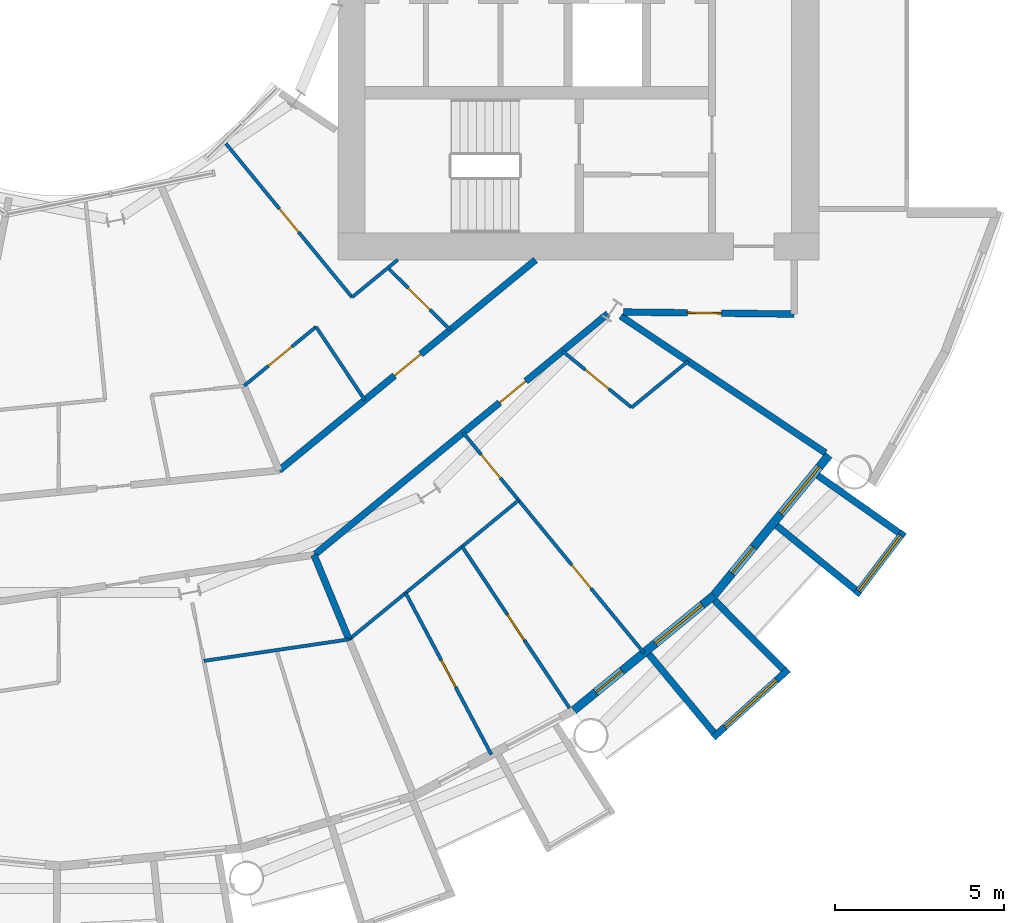
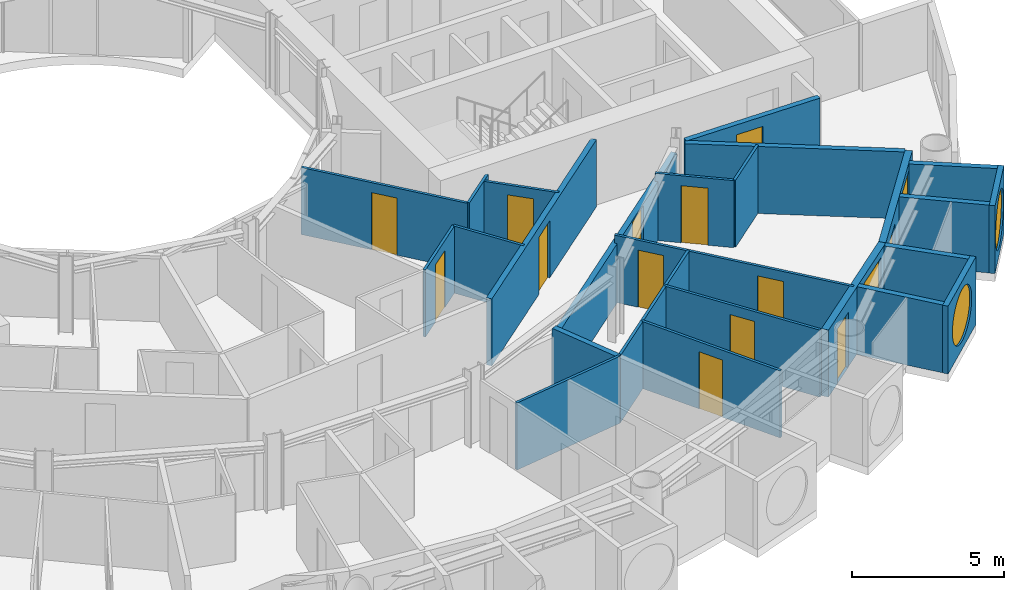
# One storey, part 16 of 26: 25 walls, 13 doors, 4 windows, 17 openings.
"""IFC4 building model written with IfcOpenShell, lengths in metres."""

import ifcopenshell
import ifcopenshell.guid

model = None  # the IFC model being written
_history = None  # IfcOwnerHistory: only IFC2X3 demands one
_inside = {}  # id of a spatial element -> (the spatial element, [elements in it])
_under = {}  # id of a project, library or spatial element -> (it, [spatial elements below it])
_declared = {}  # id of a project -> (the project, [libraries it declares])
_typed = {}  # id of a type object -> (the type object, [elements of that type])
_made_of = {}  # id of a material, layer set ... -> (it, [elements and type objects made of it])


def new_model(schema):
    """Start an empty IFC model of exactly this schema.

    Asked for "IFC4X3", IfcOpenShell would pick the latest addendum, in which some entities
    have other attributes; the version numbers below select the first issue.
    IFC2X3 requires an IfcOwnerHistory on every rooted entity: one is made here for all.
    """
    global model, _history
    if schema == "IFC4X3":
        model = ifcopenshell.file(schema_version=(4, 3, 0, 0))
    else:
        model = ifcopenshell.file(schema=schema)
    _inside.clear()
    _under.clear()
    _declared.clear()
    _typed.clear()
    _made_of.clear()
    _history = None
    if model.schema == "IFC2X3":
        org = make("IfcOrganization", Name="unknown")
        user = make(
            "IfcPersonAndOrganization",
            ThePerson=make("IfcPerson", FamilyName="unknown"),
            TheOrganization=org,
        )
        app = make(
            "IfcApplication",
            ApplicationDeveloper=org,
            Version="unknown",
            ApplicationFullName="unknown",
            ApplicationIdentifier="unknown",
        )
        _history = make(
            "IfcOwnerHistory",
            OwningUser=user,
            OwningApplication=app,
            ChangeAction="ADDED",
            CreationDate=0,
        )
    return model


def make(cls, **values):
    """One entity of the class cls with the attributes given. An attribute that is None is left unset."""
    return model.create_entity(
        cls, **{name: value for name, value in values.items() if value is not None}
    )


def rooted(cls, **values):
    """An entity with a GlobalId (a new one), such as an element, a storey or a relation."""
    return make(cls, GlobalId=ifcopenshell.guid.new(), OwnerHistory=_history, **values)


def si_unit(unit_type, name, prefix=None):
    """IfcSIUnit, for example si_unit("LENGTHUNIT", "METRE", prefix="MILLI")."""
    return make("IfcSIUnit", UnitType=unit_type, Prefix=prefix, Name=name)


def assignment(units):
    """IfcUnitAssignment: the units of a project."""
    return None if units is None else make("IfcUnitAssignment", Units=units)


def point(xyz):
    """IfcCartesianPoint."""
    return None if xyz is None else make("IfcCartesianPoint", Coordinates=xyz)


def direction(xyz):
    """IfcDirection."""
    return None if xyz is None else make("IfcDirection", DirectionRatios=xyz)


def frame(location, z_axis=None, x_axis=None):
    """IfcAxis2Placement3D, a coordinate frame: its origin and axes. An axis left out is left unset."""
    return make(
        "IfcAxis2Placement3D",
        Location=point(location),
        Axis=direction(z_axis),
        RefDirection=direction(x_axis),
    )


def frame_2d(location, x_axis=None):
    """IfcAxis2Placement2D, a coordinate frame in the plane: its origin and x axis."""
    return make(
        "IfcAxis2Placement2D", Location=point(location), RefDirection=direction(x_axis)
    )


def origin():
    """The frame at (0, 0, 0) with its axes left unset."""
    return frame((0.0, 0.0, 0.0))


def place(relative_to, where):
    """IfcLocalPlacement: puts the frame where relative to a parent placement (None: the world)."""
    return make(
        "IfcLocalPlacement", PlacementRelTo=relative_to, RelativePlacement=where
    )


def context(
    kind, dimensions, precision=None, world=None, true_north=None, identifier=None
):
    """IfcGeometricRepresentationContext, for example the 3D "Model" context."""
    return make(
        "IfcGeometricRepresentationContext",
        ContextIdentifier=identifier,
        ContextType=kind,
        CoordinateSpaceDimension=dimensions,
        Precision=precision,
        WorldCoordinateSystem=world,
        TrueNorth=true_north,
    )


def subcontext(parent, identifier, kind, view, scale=None):
    """IfcGeometricRepresentationSubContext, for example "Body" below "Model"."""
    return make(
        "IfcGeometricRepresentationSubContext",
        ContextIdentifier=identifier,
        ContextType=kind,
        ParentContext=parent,
        TargetScale=scale,
        TargetView=view,
    )


def project(units=None, contexts=None):
    """IfcProject with its units and contexts."""
    return rooted(
        "IfcProject",
        Name="project",
        RepresentationContexts=contexts,
        UnitsInContext=assignment(units),
    )


def spatial(cls, under=None, at=None, **own):
    """A site, building, storey or space (cls), placed at a placement, below another one or the project."""
    s = rooted(cls, ObjectPlacement=at, **own)
    if under is not None:
        _under.setdefault(under.id(), (under, []))[1].append(s)
    return s


def profile(cls, at=None, kind="AREA", **sizes):
    """A parametric profile (cls). Its sizes go by their IFC names, for example OverallWidth=200.0."""
    return make(cls, ProfileType=kind, Position=at, **sizes)


def rectangle(**sizes):
    """IfcRectangleProfileDef."""
    return profile("IfcRectangleProfileDef", **sizes)


def circle(**sizes):
    """IfcCircleProfileDef."""
    return profile("IfcCircleProfileDef", **sizes)


def extrude(swept, where, along, depth):
    """IfcExtrudedAreaSolid: the profile swept, set in the frame where, extruded along a direction by depth."""
    return make(
        "IfcExtrudedAreaSolid",
        SweptArea=swept,
        Position=where,
        ExtrudedDirection=direction(along),
        Depth=depth,
    )


def shape(context_of_items, identifier, shape_type, items):
    """IfcShapeRepresentation: the items that make up one representation, for example the "Body"."""
    return make(
        "IfcShapeRepresentation",
        ContextOfItems=context_of_items,
        RepresentationIdentifier=identifier,
        RepresentationType=shape_type,
        Items=items,
    )


def material(Name=None, Category=None):
    """IfcMaterial."""
    return make("IfcMaterial", Name=Name, Category=Category)


def layer(
    of_material, thickness, ventilated=None, Name=None, Category=None, Priority=None
):
    """IfcMaterialLayer: one layer of a wall or slab, of a material (None: an air gap)."""
    return make(
        "IfcMaterialLayer",
        Material=of_material,
        LayerThickness=thickness,
        IsVentilated=ventilated,
        Name=Name,
        Category=Category,
        Priority=Priority,
    )


def layer_set(layers, Name=None):
    """IfcMaterialLayerSet."""
    return make("IfcMaterialLayerSet", MaterialLayers=layers, LayerSetName=Name)


def made_of(thing, what):
    """Note that an element or type object is made of a material, layer set ...; save() writes the relation."""
    if what is not None:
        _made_of.setdefault(what.id(), (what, []))[1].append(thing)
    return thing


def type_object(cls, material=None, **own):
    """A type object (cls), such as IfcWallType, which elements share."""
    return made_of(rooted(cls, **own), material)


def element(
    cls,
    number,
    at=None,
    inside=None,
    cuts=None,
    type_object=None,
    material=None,
    context=None,
    identifier="Body",
    shape_type=None,
    held_by="IfcProductDefinitionShape",
    body=None,
    shapes=None,
    **own,
):
    """One element of the class cls, such as IfcWall. Its Tag is "e" and its number.

    at: its placement. inside: the storey or other place that contains it. cuts: it is an
    opening in that element (IfcRelVoidsElement). A single representation is given by context,
    identifier, shape_type and body (its items); several are given by shapes. held_by: the class
    of the entity that holds the representations. save() writes the other relations.
    """
    e = rooted(cls, Tag="e%d" % number, ObjectPlacement=at, **own)
    if body is not None:
        shapes = [shape(context, identifier, shape_type, body)]
    if shapes is not None:
        e.Representation = make(held_by, Representations=shapes)
    if inside is not None:
        _inside.setdefault(inside.id(), (inside, []))[1].append(e)
    if cuts is not None:
        rooted(
            "IfcRelVoidsElement", RelatingBuildingElement=cuts, RelatedOpeningElement=e
        )
    if type_object is not None:
        _typed.setdefault(type_object.id(), (type_object, []))[1].append(e)
    return made_of(e, material)


def fill(opening, filler):
    """IfcRelFillsElement: the door or window that sits in an opening."""
    return rooted(
        "IfcRelFillsElement",
        RelatingOpeningElement=opening,
        RelatedBuildingElement=filler,
    )


def aggregate(whole, parts):
    """IfcRelAggregates: a whole, such as a stair, and the parts it consists of."""
    return rooted("IfcRelAggregates", RelatingObject=whole, RelatedObjects=parts)


def save(model, path):
    """Write the relations noted so far, then the file.

    IfcRelAggregates (storeys below a building ...), IfcRelContainedInSpatialStructure (elements
    in a storey), IfcRelDefinesByType, IfcRelAssociatesMaterial and IfcRelDeclares: one each for
    every whole, place, type object, material and project.
    """
    for whole, parts in _under.values():
        aggregate(whole, parts)
    for where, things in _inside.values():
        rooted(
            "IfcRelContainedInSpatialStructure",
            RelatedElements=things,
            RelatingStructure=where,
        )
    for kind, things in _typed.values():
        rooted("IfcRelDefinesByType", RelatedObjects=things, RelatingType=kind)
    for what, things in _made_of.values():
        rooted("IfcRelAssociatesMaterial", RelatedObjects=things, RelatingMaterial=what)
    for by, libraries in _declared.values():
        rooted("IfcRelDeclares", RelatingContext=by, RelatedDefinitions=libraries)
    model.write(path)


model = new_model("IFC4")

# Units and contexts
model_context = context("Model", 3, precision=1e-05, world=origin(), true_north=direction((0.0, 1.0)))
body_context = subcontext(model_context, "Body", "Model", "MODEL_VIEW")
ifc_project = project(units=[si_unit("LENGTHUNIT", "METRE"), si_unit("AREAUNIT", "SQUARE_METRE"), si_unit("VOLUMEUNIT", "CUBIC_METRE"), si_unit("PLANEANGLEUNIT", "RADIAN"), si_unit("MASSUNIT", "GRAM", prefix="KILO")], contexts=[model_context])

# Site, building, storey
site_placement = place(None, origin())
site = spatial("IfcSite", under=ifc_project, at=site_placement, CompositionType="ELEMENT")
building_placement = place(site_placement, origin())
building = spatial("IfcBuilding", under=site, at=building_placement, Name="Maasbend Ring Residences", CompositionType="ELEMENT")
storey_placement = place(building_placement, frame((0.0, 0.0, 35.0)))
storey = spatial("IfcBuildingStorey", under=building, at=storey_placement, Name="L09", CompositionType="ELEMENT", Elevation=35.0)

# Wall, opening, door
ifc_material_1 = material(Name="Concrete C30/37", Category="concrete")
ifc_layer_1 = layer(ifc_material_1, 0.199951171875)
ifc_layer_set_1 = layer_set([ifc_layer_1], Name="Concrete C30/37")
wall_type_1 = type_object("IfcWallType", Name="CORRIDOR WALL 200 CONCRETE", PredefinedType="PARTITIONING", material=ifc_layer_set_1)
wall_1_placement = place(storey_placement, frame((7.511962890625, -18.10498046875, 0.0), z_axis=(0.0, 0.0, 1.0), x_axis=(0.772704887747, 0.634765434198, 0.0)))
wall_1 = element("IfcWall", 1, at=wall_1_placement, inside=storey, type_object=wall_type_1, Name="U-L09-w015", PredefinedType="PARTITIONING", context=body_context, shape_type="SweptSolid", body=[
    extrude(rectangle(XDim=11.208740234375, YDim=0.199951171875, at=frame_2d((5.6044921875, 0.0))), origin(), (0.0, 0.0, 1.0), 2.3798828125),
])
opening_1_placement = place(wall_1_placement, frame((7.072021484375, 0.0, 0.0)))
opening_1 = element("IfcOpeningElement", 2, at=opening_1_placement, cuts=wall_1, Name="Opening D-0947", PredefinedType="OPENING", context=body_context, shape_type="SweptSolid", body=[
    extrude(rectangle(XDim=1.0, YDim=2.300048828125, at=frame_2d((0.5, 1.14990234375))), frame((0.0, 0.10986328125, 0.0), z_axis=(0.0, -1.0, 0.0), x_axis=(1.0, 0.0, 0.0)), (0.0, 0.0, 1.0), 0.219970703125),
])
ifc_material_2 = material(Name="Timber, fire-rated, painted", Category="wood")
door_type_1 = type_object("IfcDoorType", Name="FLAT ENTRANCE DOOR 1000 X 2300 FIRE-RATED", OperationType="NOTDEFINED", PredefinedType="DOOR", material=ifc_material_2)
door_1_placement = place(opening_1_placement, origin())
door_1 = element("IfcDoor", 3, at=door_1_placement, inside=storey, type_object=door_type_1, Name="D-0947", OperationType="SINGLE_SWING_RIGHT", OverallHeight=2.300048828125, OverallWidth=1.0, PredefinedType="DOOR", context=body_context, shape_type="SweptSolid", body=[
    extrude(rectangle(XDim=1.0, YDim=2.300048828125, at=frame_2d((0.5, 1.14990234375))), frame((0.0, 0.02490234375, 0.0), z_axis=(0.0, -1.0, 0.0), x_axis=(1.0, 0.0, 0.0)), (0.0, 0.0, 1.0), 0.050048828125),
])
fill(opening_1, door_1)

wall_2_placement = place(storey_placement, frame((6.467041015625, -15.614013671875, 0.0), z_axis=(0.0, 0.0, 1.0), x_axis=(0.773084654695, 0.634302858794, 0.0)))
wall_2 = element("IfcWall", 4, at=wall_2_placement, inside=storey, type_object=wall_type_1, Name="U-L09-w017", PredefinedType="PARTITIONING", context=body_context, shape_type="SweptSolid", body=[
    extrude(rectangle(XDim=9.793212890625, YDim=0.199951171875, at=frame_2d((4.896484375, 0.0))), origin(), (0.0, 0.0, 1.0), 2.699951171875),
])
opening_2_placement = place(wall_2_placement, frame((4.406982421875, 0.0, 0.0)))
opening_2 = element("IfcOpeningElement", 5, at=opening_2_placement, cuts=wall_2, Name="Opening D-0961", PredefinedType="OPENING", context=body_context, shape_type="SweptSolid", body=[
    extrude(rectangle(XDim=1.0, YDim=2.300048828125, at=frame_2d((0.5, 1.14990234375))), frame((0.0, 0.10986328125, 0.0), z_axis=(0.0, -1.0, 0.0), x_axis=(1.0, 0.0, 0.0)), (0.0, 0.0, 1.0), 0.219970703125),
])
door_2_placement = place(opening_2_placement, origin())
door_2 = element("IfcDoor", 6, at=door_2_placement, inside=storey, type_object=door_type_1, Name="D-0961", OperationType="SINGLE_SWING_RIGHT", OverallHeight=2.300048828125, OverallWidth=1.0, PredefinedType="DOOR", context=body_context, shape_type="SweptSolid", body=[
    extrude(rectangle(XDim=1.0, YDim=2.300048828125, at=frame_2d((0.5, 1.14990234375))), frame((0.0, 0.02490234375, 0.0), z_axis=(0.0, -1.0, 0.0), x_axis=(1.0, 0.0, 0.0)), (0.0, 0.0, 1.0), 0.050048828125),
])
fill(opening_2, door_2)

wall_3_placement = place(storey_placement, frame((16.635986328125, -10.93994140625, 0.0), z_axis=(0.0, 0.0, 1.0), x_axis=(0.999928980998, -0.011917758204, 0.0)))
wall_3 = element("IfcWall", 7, at=wall_3_placement, inside=storey, type_object=wall_type_1, Name="U-L09-w026", PredefinedType="PARTITIONING", context=body_context, shape_type="SweptSolid", body=[
    extrude(rectangle(XDim=5.039306640625, YDim=0.199951171875, at=frame_2d((2.51953125, 0.0))), origin(), (0.0, 0.0, 1.0), 2.699951171875),
])
opening_3_placement = place(wall_3_placement, frame((1.885986328125, 0.0, 0.0)))
opening_3 = element("IfcOpeningElement", 8, at=opening_3_placement, cuts=wall_3, Name="Opening D-0967", PredefinedType="OPENING", context=body_context, shape_type="SweptSolid", body=[
    extrude(rectangle(XDim=1.0, YDim=2.300048828125, at=frame_2d((0.5, 1.14990234375))), frame((0.0, 0.10986328125, 0.0), z_axis=(0.0, -1.0, 0.0), x_axis=(1.0, 0.0, 0.0)), (0.0, 0.0, 1.0), 0.219970703125),
])
ifc_material_3 = material(Name="Timber, painted", Category="wood")
door_type_2 = type_object("IfcDoorType", Name="ROOM DOOR 1000 X 2300", OperationType="NOTDEFINED", PredefinedType="DOOR", material=ifc_material_3)
door_3_placement = place(opening_3_placement, origin())
door_3 = element("IfcDoor", 9, at=door_3_placement, inside=storey, type_object=door_type_2, Name="D-0967", OperationType="SINGLE_SWING_LEFT", OverallHeight=2.300048828125, OverallWidth=1.0, PredefinedType="DOOR", context=body_context, shape_type="SweptSolid", body=[
    extrude(rectangle(XDim=1.0, YDim=2.300048828125, at=frame_2d((0.5, 1.14990234375))), frame((0.0, 0.02490234375, 0.0), z_axis=(0.0, -1.0, 0.0), x_axis=(1.0, 0.0, 0.0)), (0.0, 0.0, 1.0), 0.050048828125),
])
fill(opening_3, door_3)

# Wall, opening, window
ifc_material_4 = material(Name="Pale anodised aluminium panel", Category="aluminium")
ifc_layer_2 = layer(ifc_material_4, 0.199951171875)
ifc_layer_set_2 = layer_set([ifc_layer_2], Name="EW-BOX")
wall_type_2 = type_object("IfcWallType", Name="EW-BOX", PredefinedType="SOLIDWALL", material=ifc_layer_set_2)
wall_4_placement = place(storey_placement, frame((19.281982421875, -23.5029296875, -0.030029296875), z_axis=(0.0, 0.0, 1.0), x_axis=(0.740998365753, 0.671506829416, 0.0)))
wall_4 = element("IfcWall", 10, at=wall_4_placement, inside=storey, type_object=wall_type_2, Name="Box front S18", PredefinedType="SOLIDWALL", context=body_context, shape_type="SweptSolid", body=[
    extrude(rectangle(XDim=2.9931640625, YDim=0.199951171875, at=frame_2d((1.49658203125, 0.0))), origin(), (0.0, 0.0, 1.0), 2.72998046875),
])
opening_4_placement = place(wall_4_placement, frame((0.45654296875, 0.0, 0.330078125)))
opening_4 = element("IfcOpeningElement", 11, at=opening_4_placement, cuts=wall_4, Name="Opening W-RD", PredefinedType="OPENING", context=body_context, shape_type="SweptSolid", body=[
    extrude(circle(Radius=1.0400390625, at=frame_2d((1.0400390625, 1.0400390625))), frame((0.0, 0.10986328125, 0.0), z_axis=(0.0, -1.0, 0.0), x_axis=(1.0, 0.0, 0.0)), (0.0, 0.0, 1.0), 0.219970703125),
])
ifc_material_5 = material(Name="Aluminium and clear glass", Category="aluminium")
window_type_1 = type_object("IfcWindowType", Name="W-RD", PartitioningType="SINGLE_PANEL", PredefinedType="WINDOW", material=ifc_material_5)
window_1_placement = place(opening_4_placement, origin())
window_1 = element("IfcWindow", 12, at=window_1_placement, inside=storey, type_object=window_type_1, Name="Round window S18", OverallHeight=2.080078125, OverallWidth=2.080078125, PartitioningType="SINGLE_PANEL", PredefinedType="WINDOW", context=body_context, shape_type="SweptSolid", body=[
    extrude(circle(Radius=1.0400390625, at=frame_2d((1.0400390625, 1.0400390625))), frame((0.0, 0.030029296875, 0.0), z_axis=(0.0, -1.0, 0.0), x_axis=(1.0, 0.0, 0.0)), (0.0, 0.0, 1.0), 0.06005859375),
])
fill(opening_4, window_1)

# Walls
wall_5_placement = place(storey_placement, frame((17.384033203125, -21.041015625, -0.030029296875), z_axis=(0.0, 0.0, 1.0), x_axis=(0.63709551667, -0.770784861449, 0.0)))
element("IfcWall", 13, at=wall_5_placement, inside=storey, type_object=wall_type_2, Name="Box side wall S18 left", PredefinedType="SOLIDWALL", context=body_context, shape_type="SweptSolid", body=[
    extrude(rectangle(XDim=3.005859375, YDim=0.199951171875, at=frame_2d((1.5029296875, 0.0))), origin(), (0.0, 0.0, 1.0), 2.72998046875),
])
wall_6_placement = place(storey_placement, frame((19.322998046875, -19.449951171875, -0.030029296875), z_axis=(0.0, 0.0, 1.0), x_axis=(0.704476739375, -0.709727076896, 0.0)))
element("IfcWall", 14, at=wall_6_placement, inside=storey, type_object=wall_type_2, Name="Box side wall S18 right", PredefinedType="SOLIDWALL", context=body_context, shape_type="SweptSolid", body=[
    extrude(rectangle(XDim=2.883056640625, YDim=0.199951171875, at=frame_2d((1.44140625, 0.0))), origin(), (0.0, 0.0, 1.0), 2.72998046875),
])

# Wall, opening, window
wall_7_placement = place(storey_placement, frame((23.4970703125, -19.2890625, -0.030029296875), z_axis=(0.0, 0.0, 1.0), x_axis=(0.60418752353, 0.796842165306, 0.0)))
wall_7 = element("IfcWall", 15, at=wall_7_placement, inside=storey, type_object=wall_type_2, Name="Box front S20", PredefinedType="SOLIDWALL", context=body_context, shape_type="SweptSolid", body=[
    extrude(rectangle(XDim=2.3369140625, YDim=0.199951171875, at=frame_2d((1.16845703125, 0.0))), origin(), (0.0, 0.0, 1.0), 2.72998046875),
])
opening_5_placement = place(wall_7_placement, frame((0.128173828125, 0.0, 0.330078125)))
opening_5 = element("IfcOpeningElement", 16, at=opening_5_placement, cuts=wall_7, Name="Opening W-RD", PredefinedType="OPENING", context=body_context, shape_type="SweptSolid", body=[
    extrude(circle(Radius=1.0400390625, at=frame_2d((1.0400390625, 1.0400390625))), frame((0.0, 0.10986328125, 0.0), z_axis=(0.0, -1.0, 0.0), x_axis=(1.0, 0.0, 0.0)), (0.0, 0.0, 1.0), 0.219970703125),
])
window_2_placement = place(opening_5_placement, origin())
window_2 = element("IfcWindow", 17, at=window_2_placement, inside=storey, type_object=window_type_1, Name="Round window S20", OverallHeight=2.080078125, OverallWidth=2.080078125, PartitioningType="SINGLE_PANEL", PredefinedType="WINDOW", context=body_context, shape_type="SweptSolid", body=[
    extrude(circle(Radius=1.0400390625, at=frame_2d((1.0400390625, 1.0400390625))), frame((0.0, 0.030029296875, 0.0), z_axis=(0.0, -1.0, 0.0), x_axis=(1.0, 0.0, 0.0)), (0.0, 0.0, 1.0), 0.06005859375),
])
fill(opening_5, window_2)

# Walls
wall_8_placement = place(storey_placement, frame((21.155029296875, -17.24609375, -0.030029296875), z_axis=(0.0, 0.0, 1.0), x_axis=(0.775179004516, -0.631741648902, 0.0)))
element("IfcWall", 18, at=wall_8_placement, inside=storey, type_object=wall_type_2, Name="Box side wall S20 left", PredefinedType="SOLIDWALL", context=body_context, shape_type="SweptSolid", body=[
    extrude(rectangle(XDim=3.005859375, YDim=0.199951171875, at=frame_2d((1.5029296875, 0.0))), origin(), (0.0, 0.0, 1.0), 2.72998046875),
])
wall_9_placement = place(storey_placement, frame((22.3701171875, -15.764892578125, -0.030029296875), z_axis=(0.0, 0.0, 1.0), x_axis=(0.817256123454, -0.576274612209, 0.0)))
element("IfcWall", 19, at=wall_9_placement, inside=storey, type_object=wall_type_2, Name="Box side wall S20 right", PredefinedType="SOLIDWALL", context=body_context, shape_type="SweptSolid", body=[
    extrude(rectangle(XDim=2.932861328125, YDim=0.199951171875, at=frame_2d((1.46630859375, 0.0))), origin(), (0.0, 0.0, 1.0), 2.72998046875),
])

# Wall, openings, door, window
ifc_material_6 = material(Name="Aluminium clad insulated panel", Category="aluminium")
ifc_layer_3 = layer(ifc_material_6, 0.25)
ifc_layer_set_3 = layer_set([ifc_layer_3], Name="EW-GL")
wall_type_3 = type_object("IfcWallType", Name="EW-GL", PredefinedType="SOLIDWALL", material=ifc_layer_set_3)
wall_10_placement = place(storey_placement, frame((15.1669921875, -22.698974609375, 0.0), z_axis=(0.0, 0.0, 1.0), x_axis=(0.773019449054, 0.634382322723, 0.0)))
wall_10 = element("IfcWall", 20, at=wall_10_placement, inside=storey, type_object=wall_type_3, Name="External wall S09", PredefinedType="SOLIDWALL", context=body_context, shape_type="SweptSolid", body=[
    extrude(rectangle(XDim=5.351806640625, YDim=0.25, at=frame_2d((2.67578125, 0.0))), origin(), (0.0, 0.0, 1.0), 2.699951171875),
])
opening_6_placement = place(wall_10_placement, frame((0.841064453125, 0.0, 0.0)))
opening_6 = element("IfcOpeningElement", 21, at=opening_6_placement, cuts=wall_10, Name="Opening D-LG", PredefinedType="OPENING", context=body_context, shape_type="SweptSolid", body=[
    extrude(rectangle(XDim=1.0, YDim=2.199951171875, at=frame_2d((0.5, 1.10009765625))), frame((0.0, 0.135009765625, 0.0), z_axis=(0.0, -1.0, 0.0), x_axis=(1.0, 0.0, 0.0)), (0.0, 0.0, 1.0), 0.27001953125),
])
opening_7_placement = place(wall_10_placement, frame((3.110595703125, 0.0, 0.300048828125)))
opening_7 = element("IfcOpeningElement", 22, at=opening_7_placement, cuts=wall_10, Name="Opening W-BX", PredefinedType="OPENING", context=body_context, shape_type="SweptSolid", body=[
    extrude(rectangle(XDim=1.800048828125, YDim=2.10009765625, at=frame_2d((0.89990234375, 1.050048828125))), frame((0.0, 0.135009765625, 0.0), z_axis=(0.0, -1.0, 0.0), x_axis=(1.0, 0.0, 0.0)), (0.0, 0.0, 1.0), 0.27001953125),
])
ifc_material_7 = material(Name="Aluminium and clear glass", Category="aluminium")
door_type_3 = type_object("IfcDoorType", Name="D-LG", OperationType="SINGLE_SWING_LEFT", PredefinedType="DOOR", material=ifc_material_7)
door_4_placement = place(opening_6_placement, origin())
door_4 = element("IfcDoor", 23, at=door_4_placement, inside=storey, type_object=door_type_3, Name="Loggia door S17", OperationType="SINGLE_SWING_LEFT", OverallHeight=2.199951171875, OverallWidth=1.0, PredefinedType="DOOR", context=body_context, shape_type="SweptSolid", body=[
    extrude(rectangle(XDim=1.0, YDim=2.199951171875, at=frame_2d((0.5, 1.10009765625))), frame((0.0, 0.02490234375, 0.0), z_axis=(0.0, -1.0, 0.0), x_axis=(1.0, 0.0, 0.0)), (0.0, 0.0, 1.0), 0.050048828125),
])
fill(opening_6, door_4)
ifc_material_8 = material(Name="Aluminium and clear glass", Category="aluminium")
window_type_2 = type_object("IfcWindowType", Name="W-BX", PartitioningType="DOUBLE_PANEL_VERTICAL", PredefinedType="WINDOW", material=ifc_material_8)
window_3_placement = place(opening_7_placement, origin())
window_3 = element("IfcWindow", 24, at=window_3_placement, inside=storey, type_object=window_type_2, Name="Window S18 room to box", OverallHeight=2.10009765625, OverallWidth=1.800048828125, PartitioningType="SINGLE_PANEL", PredefinedType="WINDOW", context=body_context, shape_type="SweptSolid", body=[
    extrude(rectangle(XDim=1.800048828125, YDim=2.10009765625, at=frame_2d((0.89990234375, 1.050048828125))), frame((0.0, 0.030029296875, 0.0), z_axis=(0.0, -1.0, 0.0), x_axis=(1.0, 0.0, 0.0)), (0.0, 0.0, 1.0), 0.06005859375),
])
fill(opening_7, window_3)

wall_11_placement = place(storey_placement, frame((19.303955078125, -19.303955078125, 0.0), z_axis=(0.0, 0.0, 1.0), x_axis=(0.634382322723, 0.773019449054, 0.0)))
wall_11 = element("IfcWall", 25, at=wall_11_placement, inside=storey, type_object=wall_type_3, Name="External wall S10", PredefinedType="SOLIDWALL", context=body_context, shape_type="SweptSolid", body=[
    extrude(rectangle(XDim=5.351806640625, YDim=0.25, at=frame_2d((2.67578125, 0.0))), origin(), (0.0, 0.0, 1.0), 2.699951171875),
])
opening_8_placement = place(wall_11_placement, frame((0.841064453125, 0.0, 0.0)))
opening_8 = element("IfcOpeningElement", 26, at=opening_8_placement, cuts=wall_11, Name="Opening D-LG", PredefinedType="OPENING", context=body_context, shape_type="SweptSolid", body=[
    extrude(rectangle(XDim=1.0, YDim=2.199951171875, at=frame_2d((0.5, 1.10009765625))), frame((0.0, 0.135009765625, 0.0), z_axis=(0.0, -1.0, 0.0), x_axis=(1.0, 0.0, 0.0)), (0.0, 0.0, 1.0), 0.27001953125),
])
opening_9_placement = place(wall_11_placement, frame((3.110595703125, 0.0, 0.300048828125)))
opening_9 = element("IfcOpeningElement", 27, at=opening_9_placement, cuts=wall_11, Name="Opening W-BX", PredefinedType="OPENING", context=body_context, shape_type="SweptSolid", body=[
    extrude(rectangle(XDim=1.800048828125, YDim=2.10009765625, at=frame_2d((0.89990234375, 1.050048828125))), frame((0.0, 0.135009765625, 0.0), z_axis=(0.0, -1.0, 0.0), x_axis=(1.0, 0.0, 0.0)), (0.0, 0.0, 1.0), 0.27001953125),
])
door_5_placement = place(opening_8_placement, origin())
door_5 = element("IfcDoor", 28, at=door_5_placement, inside=storey, type_object=door_type_3, Name="Loggia door S19", OperationType="SINGLE_SWING_LEFT", OverallHeight=2.199951171875, OverallWidth=1.0, PredefinedType="DOOR", context=body_context, shape_type="SweptSolid", body=[
    extrude(rectangle(XDim=1.0, YDim=2.199951171875, at=frame_2d((0.5, 1.10009765625))), frame((0.0, 0.02490234375, 0.0), z_axis=(0.0, -1.0, 0.0), x_axis=(1.0, 0.0, 0.0)), (0.0, 0.0, 1.0), 0.050048828125),
])
fill(opening_8, door_5)
window_4_placement = place(opening_9_placement, origin())
window_4 = element("IfcWindow", 29, at=window_4_placement, inside=storey, type_object=window_type_2, Name="Window S20 room to box", OverallHeight=2.10009765625, OverallWidth=1.800048828125, PartitioningType="SINGLE_PANEL", PredefinedType="WINDOW", context=body_context, shape_type="SweptSolid", body=[
    extrude(rectangle(XDim=1.800048828125, YDim=2.10009765625, at=frame_2d((0.89990234375, 1.050048828125))), frame((0.0, 0.030029296875, 0.0), z_axis=(0.0, -1.0, 0.0), x_axis=(1.0, 0.0, 0.0)), (0.0, 0.0, 1.0), 0.06005859375),
])
fill(opening_9, window_4)

# Walls
ifc_material_9 = material(Name="Gypsum board on steel studs", Category="steel")
ifc_layer_4 = layer(ifc_material_9, 0.10009765625)
ifc_layer_set_4 = layer_set([ifc_layer_4], Name="PARTITION 100 GYPSUM")
wall_type_4 = type_object("IfcWallType", Name="PARTITION 100 GYPSUM", PredefinedType="PARTITIONING", material=ifc_layer_set_4)
wall_12_placement = place(storey_placement, frame((4.24609375, -21.239013671875, 0.0), z_axis=(0.0, 0.0, 1.0), x_axis=(0.989178348771, 0.146718077695, 0.0)))
element("IfcWall", 30, at=wall_12_placement, inside=storey, type_object=wall_type_4, Name="U-L09-w006", PredefinedType="PARTITIONING", context=body_context, shape_type="SweptSolid", body=[
    extrude(rectangle(XDim=4.334716796875, YDim=0.10009765625, at=frame_2d((2.16748046875, 0.0))), origin(), (0.0, 0.0, 1.0), 2.699951171875),
])
wall_13_placement = place(storey_placement, frame((8.533935546875, -20.60302734375, 0.0), z_axis=(0.0, 0.0, 1.0), x_axis=(0.773000340237, 0.634405606843, 0.0)))
element("IfcWall", 31, at=wall_13_placement, inside=storey, type_object=wall_type_4, Name="U-L09-w009", PredefinedType="PARTITIONING", context=body_context, shape_type="SweptSolid", body=[
    extrude(rectangle(XDim=6.4736328125, YDim=0.10009765625, at=frame_2d((3.23681640625, 0.0))), origin(), (0.0, 0.0, 1.0), 2.699951171875),
])
wall_14_placement = place(storey_placement, frame((16.8740234375, -13.758056640625, 0.0), z_axis=(0.0, 0.0, 1.0), x_axis=(0.772948171844, 0.634469166818, 0.0)))
element("IfcWall", 32, at=wall_14_placement, inside=storey, type_object=wall_type_4, Name="U-L09-w010", PredefinedType="PARTITIONING", context=body_context, shape_type="SweptSolid", body=[
    extrude(rectangle(XDim=2.157958984375, YDim=0.10009765625, at=frame_2d((1.0791015625, 0.0))), origin(), (0.0, 0.0, 1.0), 2.699951171875),
])

# Wall, opening, door
wall_15_placement = place(storey_placement, frame((5.43408203125, -13.118896484375, 0.0), z_axis=(0.0, 0.0, 1.0), x_axis=(0.773049907698, 0.634345205868, 0.0)))
wall_15 = element("IfcWall", 33, at=wall_15_placement, inside=storey, type_object=wall_type_4, Name="U-L09-w021", PredefinedType="PARTITIONING", context=body_context, shape_type="SweptSolid", body=[
    extrude(rectangle(XDim=2.74755859375, YDim=0.10009765625, at=frame_2d((1.373779296875, 0.0))), origin(), (0.0, 0.0, 1.0), 2.699951171875),
])
opening_10_placement = place(wall_15_placement, frame((0.924072265625, 0.0, 0.0)))
opening_10 = element("IfcOpeningElement", 34, at=opening_10_placement, cuts=wall_15, Name="Opening D-0962", PredefinedType="OPENING", context=body_context, shape_type="SweptSolid", body=[
    extrude(rectangle(XDim=0.89990234375, YDim=2.300048828125, at=frame_2d((0.449951171875, 1.14990234375))), frame((0.0, 0.06005859375, 0.0), z_axis=(0.0, -1.0, 0.0), x_axis=(1.0, 0.0, 0.0)), (0.0, 0.0, 1.0), 0.1201171875),
])
ifc_material_10 = material(Name="Timber, painted", Category="wood")
door_type_4 = type_object("IfcDoorType", Name="INTERNAL DOOR 900 X 2300", OperationType="NOTDEFINED", PredefinedType="DOOR", material=ifc_material_10)
door_6_placement = place(opening_10_placement, origin())
door_6 = element("IfcDoor", 35, at=door_6_placement, inside=storey, type_object=door_type_4, Name="D-0962", OperationType="SINGLE_SWING_RIGHT", OverallHeight=2.300048828125, OverallWidth=0.89990234375, PredefinedType="DOOR", context=body_context, shape_type="SweptSolid", body=[
    extrude(rectangle(XDim=0.89990234375, YDim=2.300048828125, at=frame_2d((0.449951171875, 1.14990234375))), frame((0.0, 0.02490234375, 0.0), z_axis=(0.0, -1.0, 0.0), x_axis=(1.0, 0.0, 0.0)), (0.0, 0.0, 1.0), 0.050048828125),
])
fill(opening_10, door_6)

# Wall
wall_16_placement = place(storey_placement, frame((8.618896484375, -10.5048828125, 0.0), z_axis=(0.0, 0.0, 1.0), x_axis=(0.77321028337, 0.634149712363, 0.0)))
element("IfcWall", 36, at=wall_16_placement, inside=storey, type_object=wall_type_4, Name="U-L09-w022", PredefinedType="PARTITIONING", context=body_context, shape_type="SweptSolid", body=[
    extrude(rectangle(XDim=1.74853515625, YDim=0.10009765625, at=frame_2d((0.874267578125, 0.0))), origin(), (0.0, 0.0, 1.0), 2.699951171875),
])

# Wall, opening, door
wall_17_placement = place(storey_placement, frame((4.89697265625, -5.968994140625, 0.0), z_axis=(0.0, 0.0, 1.0), x_axis=(0.634539754242, -0.772890225249, 0.0)))
wall_17 = element("IfcWall", 37, at=wall_17_placement, inside=storey, type_object=wall_type_4, Name="U-L09-w070", PredefinedType="PARTITIONING", context=body_context, shape_type="SweptSolid", body=[
    extrude(rectangle(XDim=5.867431640625, YDim=0.10009765625, at=frame_2d((2.93359375, 0.0))), origin(), (0.0, 0.0, 1.0), 2.699951171875),
])
opening_11_placement = place(wall_17_placement, frame((2.48388671875, 0.0, 0.0)))
opening_11 = element("IfcOpeningElement", 38, at=opening_11_placement, cuts=wall_17, Name="Opening D-0964", PredefinedType="OPENING", context=body_context, shape_type="SweptSolid", body=[
    extrude(rectangle(XDim=0.89990234375, YDim=2.300048828125, at=frame_2d((0.449951171875, 1.14990234375))), frame((0.0, 0.06005859375, 0.0), z_axis=(0.0, -1.0, 0.0), x_axis=(1.0, 0.0, 0.0)), (0.0, 0.0, 1.0), 0.1201171875),
])
door_7_placement = place(opening_11_placement, origin())
door_7 = element("IfcDoor", 39, at=door_7_placement, inside=storey, type_object=door_type_4, Name="D-0964", OperationType="SINGLE_SWING_LEFT", OverallHeight=2.300048828125, OverallWidth=0.89990234375, PredefinedType="DOOR", context=body_context, shape_type="SweptSolid", body=[
    extrude(rectangle(XDim=0.89990234375, YDim=2.300048828125, at=frame_2d((0.449951171875, 1.14990234375))), frame((0.0, 0.02490234375, 0.0), z_axis=(0.0, -1.0, 0.0), x_axis=(1.0, 0.0, 0.0)), (0.0, 0.0, 1.0), 0.050048828125),
])
fill(opening_11, door_7)

# Wall
wall_18_placement = place(storey_placement, frame((7.55810546875, -11.3759765625, 0.0), z_axis=(0.0, 0.0, 1.0), x_axis=(0.553615197403, -0.83277260594, 0.0)))
element("IfcWall", 40, at=wall_18_placement, inside=storey, type_object=wall_type_4, Name="U-L09-w075", PredefinedType="PARTITIONING", context=body_context, shape_type="SweptSolid", body=[
    extrude(rectangle(XDim=2.597412109375, YDim=0.10009765625, at=frame_2d((1.298828125, 0.0))), origin(), (0.0, 0.0, 1.0), 2.699951171875),
])

# Wall, opening, door
wall_19_placement = place(storey_placement, frame((9.678955078125, -9.635986328125, 0.0), z_axis=(0.0, 0.0, 1.0), x_axis=(0.708843617398, -0.705365668341, 0.0)))
wall_19 = element("IfcWall", 41, at=wall_19_placement, inside=storey, type_object=wall_type_4, Name="U-L09-w078", PredefinedType="PARTITIONING", context=body_context, shape_type="SweptSolid", body=[
    extrude(rectangle(XDim=2.59716796875, YDim=0.10009765625, at=frame_2d((1.298583984375, 0.0))), origin(), (0.0, 0.0, 1.0), 2.699951171875),
])
opening_12_placement = place(wall_19_placement, frame((0.84912109375, 0.0, 0.0)))
opening_12 = element("IfcOpeningElement", 42, at=opening_12_placement, cuts=wall_19, Name="Opening D-0963", PredefinedType="OPENING", context=body_context, shape_type="SweptSolid", body=[
    extrude(rectangle(XDim=0.89990234375, YDim=2.300048828125, at=frame_2d((0.449951171875, 1.14990234375))), frame((0.0, 0.06005859375, 0.0), z_axis=(0.0, -1.0, 0.0), x_axis=(1.0, 0.0, 0.0)), (0.0, 0.0, 1.0), 0.1201171875),
])
door_8_placement = place(opening_12_placement, origin())
door_8 = element("IfcDoor", 43, at=door_8_placement, inside=storey, type_object=door_type_4, Name="D-0963", OperationType="SINGLE_SWING_RIGHT", OverallHeight=2.300048828125, OverallWidth=0.89990234375, PredefinedType="DOOR", context=body_context, shape_type="SweptSolid", body=[
    extrude(rectangle(XDim=0.89990234375, YDim=2.300048828125, at=frame_2d((0.449951171875, 1.14990234375))), frame((0.0, 0.02490234375, 0.0), z_axis=(0.0, -1.0, 0.0), x_axis=(1.0, 0.0, 0.0)), (0.0, 0.0, 1.0), 0.050048828125),
])
fill(opening_12, door_8)

wall_20_placement = place(storey_placement, frame((10.201904296875, -19.23388671875, 0.0), z_axis=(0.0, 0.0, 1.0), x_axis=(0.468610030042, -0.883405139075, 0.0)))
wall_20 = element("IfcWall", 44, at=wall_20_placement, inside=storey, type_object=wall_type_4, Name="U-L09-w080", PredefinedType="PARTITIONING", context=body_context, shape_type="SweptSolid", body=[
    extrude(rectangle(XDim=5.403076171875, YDim=0.10009765625, at=frame_2d((2.70166015625, 0.0))), origin(), (0.0, 0.0, 1.0), 2.699951171875),
])
opening_13_placement = place(wall_20_placement, frame((2.251953125, 0.0, 0.0)))
opening_13 = element("IfcOpeningElement", 45, at=opening_13_placement, cuts=wall_20, Name="Opening D-0952", PredefinedType="OPENING", context=body_context, shape_type="SweptSolid", body=[
    extrude(rectangle(XDim=0.89990234375, YDim=2.300048828125, at=frame_2d((0.449951171875, 1.14990234375))), frame((0.0, 0.06005859375, 0.0), z_axis=(0.0, -1.0, 0.0), x_axis=(1.0, 0.0, 0.0)), (0.0, 0.0, 1.0), 0.1201171875),
])
door_9_placement = place(opening_13_placement, origin())
door_9 = element("IfcDoor", 46, at=door_9_placement, inside=storey, type_object=door_type_4, Name="D-0952", OperationType="SINGLE_SWING_RIGHT", OverallHeight=2.300048828125, OverallWidth=0.89990234375, PredefinedType="DOOR", context=body_context, shape_type="SweptSolid", body=[
    extrude(rectangle(XDim=0.89990234375, YDim=2.300048828125, at=frame_2d((0.449951171875, 1.14990234375))), frame((0.0, 0.02490234375, 0.0), z_axis=(0.0, -1.0, 0.0), x_axis=(1.0, 0.0, 0.0)), (0.0, 0.0, 1.0), 0.050048828125),
])
fill(opening_13, door_9)

wall_21_placement = place(storey_placement, frame((11.87109375, -17.864013671875, 0.0), z_axis=(0.0, 0.0, 1.0), x_axis=(0.553637025191, -0.83275809473, 0.0)))
wall_21 = element("IfcWall", 47, at=wall_21_placement, inside=storey, type_object=wall_type_4, Name="U-L09-w083", PredefinedType="PARTITIONING", context=body_context, shape_type="SweptSolid", body=[
    extrude(rectangle(XDim=5.7255859375, YDim=0.10009765625, at=frame_2d((2.86279296875, 0.0))), origin(), (0.0, 0.0, 1.0), 2.699951171875),
])
opening_14_placement = place(wall_21_placement, frame((2.4130859375, 0.0, 0.0)))
opening_14 = element("IfcOpeningElement", 48, at=opening_14_placement, cuts=wall_21, Name="Opening D-0951", PredefinedType="OPENING", context=body_context, shape_type="SweptSolid", body=[
    extrude(rectangle(XDim=0.89990234375, YDim=2.300048828125, at=frame_2d((0.449951171875, 1.14990234375))), frame((0.0, 0.06005859375, 0.0), z_axis=(0.0, -1.0, 0.0), x_axis=(1.0, 0.0, 0.0)), (0.0, 0.0, 1.0), 0.1201171875),
])
door_10_placement = place(opening_14_placement, origin())
door_10 = element("IfcDoor", 49, at=door_10_placement, inside=storey, type_object=door_type_4, Name="D-0951", OperationType="SINGLE_SWING_RIGHT", OverallHeight=2.300048828125, OverallWidth=0.89990234375, PredefinedType="DOOR", context=body_context, shape_type="SweptSolid", body=[
    extrude(rectangle(XDim=0.89990234375, YDim=2.300048828125, at=frame_2d((0.449951171875, 1.14990234375))), frame((0.0, 0.02490234375, 0.0), z_axis=(0.0, -1.0, 0.0), x_axis=(1.0, 0.0, 0.0)), (0.0, 0.0, 1.0), 0.050048828125),
])
fill(opening_14, door_10)

# Wall, openings, doors
wall_22_placement = place(storey_placement, frame((11.89892578125, -14.4990234375, 0.0), z_axis=(0.0, 0.0, 1.0), x_axis=(0.634396151441, -0.77300810024, 0.0)))
wall_22 = element("IfcWall", 50, at=wall_22_placement, inside=storey, type_object=wall_type_4, Name="U-L09-w084", PredefinedType="PARTITIONING", context=body_context, shape_type="SweptSolid", body=[
    extrude(rectangle(XDim=8.419189453125, YDim=0.10009765625, at=frame_2d((4.20947265625, 0.0))), origin(), (0.0, 0.0, 1.0), 2.699951171875),
])
opening_15_placement = place(wall_22_placement, frame((0.840087890625, 0.0, 0.0)))
opening_15 = element("IfcOpeningElement", 51, at=opening_15_placement, cuts=wall_22, Name="Opening D-0949", PredefinedType="OPENING", context=body_context, shape_type="SweptSolid", body=[
    extrude(rectangle(XDim=0.89990234375, YDim=2.300048828125, at=frame_2d((0.449951171875, 1.14990234375))), frame((0.0, 0.06005859375, 0.0), z_axis=(0.0, -1.0, 0.0), x_axis=(1.0, 0.0, 0.0)), (0.0, 0.0, 1.0), 0.1201171875),
])
opening_16_placement = place(wall_22_placement, frame((5.051025390625, 0.0, 0.0)))
opening_16 = element("IfcOpeningElement", 52, at=opening_16_placement, cuts=wall_22, Name="Opening D-0950", PredefinedType="OPENING", context=body_context, shape_type="SweptSolid", body=[
    extrude(rectangle(XDim=0.89990234375, YDim=2.300048828125, at=frame_2d((0.449951171875, 1.14990234375))), frame((0.0, 0.06005859375, 0.0), z_axis=(0.0, -1.0, 0.0), x_axis=(1.0, 0.0, 0.0)), (0.0, 0.0, 1.0), 0.1201171875),
])
door_11_placement = place(opening_15_placement, origin())
door_11 = element("IfcDoor", 53, at=door_11_placement, inside=storey, type_object=door_type_4, Name="D-0949", OperationType="SINGLE_SWING_LEFT", OverallHeight=2.300048828125, OverallWidth=0.89990234375, PredefinedType="DOOR", context=body_context, shape_type="SweptSolid", body=[
    extrude(rectangle(XDim=0.89990234375, YDim=2.300048828125, at=frame_2d((0.449951171875, 1.14990234375))), frame((0.0, 0.02490234375, 0.0), z_axis=(0.0, -1.0, 0.0), x_axis=(1.0, 0.0, 0.0)), (0.0, 0.0, 1.0), 0.050048828125),
])
fill(opening_15, door_11)
door_12_placement = place(opening_16_placement, origin())
door_12 = element("IfcDoor", 54, at=door_12_placement, inside=storey, type_object=door_type_4, Name="D-0950", OperationType="SINGLE_SWING_RIGHT", OverallHeight=2.300048828125, OverallWidth=0.89990234375, PredefinedType="DOOR", context=body_context, shape_type="SweptSolid", body=[
    extrude(rectangle(XDim=0.89990234375, YDim=2.300048828125, at=frame_2d((0.449951171875, 1.14990234375))), frame((0.0, 0.02490234375, 0.0), z_axis=(0.0, -1.0, 0.0), x_axis=(1.0, 0.0, 0.0)), (0.0, 0.0, 1.0), 0.050048828125),
])
fill(opening_16, door_12)

# Wall, opening, door
wall_23_placement = place(storey_placement, frame((14.8310546875, -12.092041015625, 0.0), z_axis=(0.0, 0.0, 1.0), x_axis=(0.774979608522, -0.631986239072, 0.0)))
wall_23 = element("IfcWall", 55, at=wall_23_placement, inside=storey, type_object=wall_type_4, Name="U-L09-w086", PredefinedType="PARTITIONING", context=body_context, shape_type="SweptSolid", body=[
    extrude(rectangle(XDim=2.63623046875, YDim=0.10009765625, at=frame_2d((1.318115234375, 0.0))), origin(), (0.0, 0.0, 1.0), 2.699951171875),
])
opening_17_placement = place(wall_23_placement, frame((0.867919921875, 0.0, 0.0)))
opening_17 = element("IfcOpeningElement", 56, at=opening_17_placement, cuts=wall_23, Name="Opening D-0948", PredefinedType="OPENING", context=body_context, shape_type="SweptSolid", body=[
    extrude(rectangle(XDim=0.89990234375, YDim=2.300048828125, at=frame_2d((0.449951171875, 1.14990234375))), frame((0.0, 0.06005859375, 0.0), z_axis=(0.0, -1.0, 0.0), x_axis=(1.0, 0.0, 0.0)), (0.0, 0.0, 1.0), 0.1201171875),
])
door_13_placement = place(opening_17_placement, origin())
door_13 = element("IfcDoor", 57, at=door_13_placement, inside=storey, type_object=door_type_4, Name="D-0948", OperationType="SINGLE_SWING_RIGHT", OverallHeight=2.300048828125, OverallWidth=0.89990234375, PredefinedType="DOOR", context=body_context, shape_type="SweptSolid", body=[
    extrude(rectangle(XDim=0.89990234375, YDim=2.300048828125, at=frame_2d((0.449951171875, 1.14990234375))), frame((0.0, 0.02490234375, 0.0), z_axis=(0.0, -1.0, 0.0), x_axis=(1.0, 0.0, 0.0)), (0.0, 0.0, 1.0), 0.050048828125),
])
fill(opening_17, door_13)

# Walls
ifc_material_11 = material(Name="Concrete C30/37", Category="concrete")
ifc_layer_5 = layer(ifc_material_11, 0.199951171875)
ifc_layer_set_5 = layer_set([ifc_layer_5], Name="Concrete C30/37")
wall_type_5 = type_object("IfcWallType", Name="PARTY WALL 200 CONCRETE", PredefinedType="PARTITIONING", material=ifc_layer_set_5)
wall_24_placement = place(storey_placement, frame((7.49609375, -18.110107421875, 0.0), z_axis=(0.0, 0.0, 1.0), x_axis=(0.382540781694, -0.923938607452, 0.0)))
element("IfcWall", 58, at=wall_24_placement, inside=storey, type_object=wall_type_5, Name="U-L09-w074", PredefinedType="PARTITIONING", context=body_context, shape_type="SweptSolid", body=[
    extrude(rectangle(XDim=2.7001953125, YDim=0.199951171875, at=frame_2d((1.35009765625, 0.0))), origin(), (0.0, 0.0, 1.0), 2.699951171875),
])
wall_25_placement = place(storey_placement, frame((16.553955078125, -11.06201171875, 0.0), z_axis=(0.0, 0.0, 1.0), x_axis=(0.831610607528, -0.555359160765, 0.0)))
element("IfcWall", 59, at=wall_25_placement, inside=storey, type_object=wall_type_5, Name="U-L09-w089", PredefinedType="PARTITIONING", context=body_context, shape_type="SweptSolid", body=[
    extrude(rectangle(XDim=7.265380859375, YDim=0.199951171875, at=frame_2d((3.6328125, 0.0))), origin(), (0.0, 0.0, 1.0), 2.699951171875),
])

save(model, "model.ifc")
